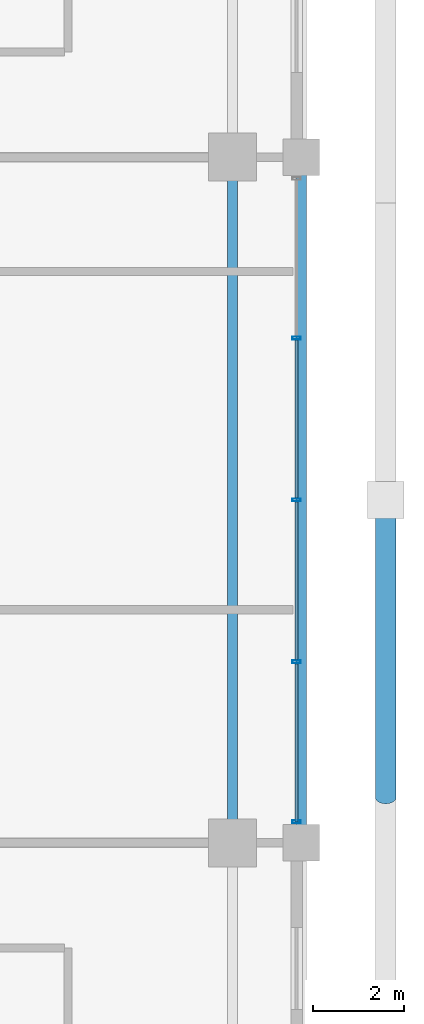
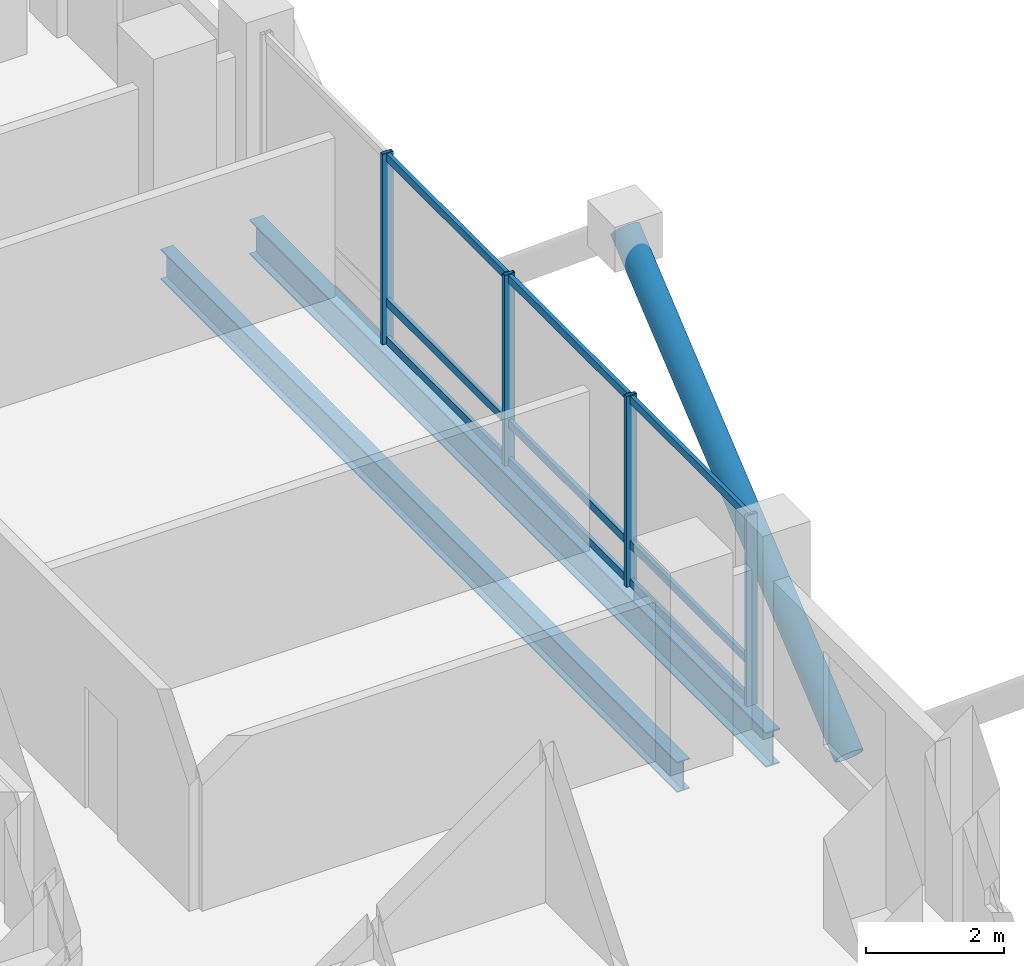
# One storey, part 10 of 24: 14 members, 2 beams, 1 element without a shape of its own.
"""IFC4 building model written with IfcOpenShell, lengths in metres."""

from ifc_helpers import new_model, si_unit, direction, frame, origin, origin_2d, place, context, subcontext, project, spatial, hollow_rectangle, hollow_circle, i_section, extrude, material, layer, layer_set, material_profile, profile_set, type_object, element, aggregate, save


model = new_model("IFC4")

# Units and contexts
model_context = context("Model", 3, precision=1e-05, world=origin(), true_north=direction((0.0, 1.0)))
body_context = subcontext(model_context, "Body", "Model", "MODEL_VIEW")
ifc_project = project(units=[si_unit("LENGTHUNIT", "METRE"), si_unit("AREAUNIT", "SQUARE_METRE"), si_unit("VOLUMEUNIT", "CUBIC_METRE"), si_unit("PLANEANGLEUNIT", "RADIAN"), si_unit("MASSUNIT", "GRAM", prefix="KILO")], contexts=[model_context])

# Site, building, storey
site_placement = place(None, origin())
site = spatial("IfcSite", under=ifc_project, at=site_placement, CompositionType="ELEMENT")
building_placement = place(site_placement, origin())
building = spatial("IfcBuilding", under=site, at=building_placement, Name="Barlavira Tower and Art Museum", CompositionType="ELEMENT")
storey_placement = place(building_placement, frame((0.0, 0.0, 183.60009765625)))
storey = spatial("IfcBuildingStorey", under=building, at=storey_placement, Name="L47", CompositionType="ELEMENT", Elevation=183.60009765625)

# Curtain wall, members
ifc_material_1 = material(Name="Low-iron coastal laminated glass", Category="glass")
ifc_layer = layer(ifc_material_1, 0.199951171875, Name="Low-iron coastal laminated glass")
ifc_layer_set = layer_set([ifc_layer], Name="Low-iron coastal laminated glass")
curtain_wall_type = type_object("IfcCurtainWallType", Name="Pale-Metal Unitised Curtain Wall Zone 3", PredefinedType="NOTDEFINED", material=ifc_layer_set)
curtain_wall_placement = place(storey_placement, origin())
curtain_wall = element("IfcCurtainWall", 1, at=curtain_wall_placement, inside=storey, type_object=curtain_wall_type, Name="L47 Curtain Wall CW3-L47-E-B3", PredefinedType="NOTDEFINED")
ifc_material_2 = material(Name="Pale anodised aluminium", Category="aluminium")
ifc_material_profile_1 = material_profile(ifc_material_2, hollow_rectangle(XDim=0.06494140625, YDim=0.179931640625, WallThickness=0.00390625, at=origin_2d()), Name="ALU-MULL 65x180x4")
ifc_profile_set_1 = profile_set([ifc_material_profile_1], Name="Pale anodised aluminium")
member_type_1 = type_object("IfcMemberType", Name="Curtain Wall Pale-Metal Mullion 65x180", PredefinedType="MULLION", material=ifc_profile_set_1)
member_1_placement = place(storey_placement, frame((18.39990234375, -7.034912109375, 0.0), z_axis=(0.0, 0.0, 1.0), x_axis=(0.0, 1.0, 0.0)))
member_1 = element("IfcMember", 2, at=member_1_placement, type_object=member_type_1, Name="CW3-L47-E-B3 Mullion 0", PredefinedType="MULLION", context=body_context, shape_type="SweptSolid", body=[
    extrude(hollow_rectangle(XDim=0.06494140625, YDim=0.179931640625, WallThickness=0.00390625, at=origin_2d()), origin(), (0.0, 0.0, 1.0), 3.3798828125),
])
member_2_placement = place(storey_placement, frame((18.39990234375, -3.5400390625, 0.0), z_axis=(0.0, 0.0, 1.0), x_axis=(0.0, 1.0, 0.0)))
member_2 = element("IfcMember", 3, at=member_2_placement, type_object=member_type_1, Name="CW3-L47-E-B3 Mullion 1", PredefinedType="MULLION", context=body_context, shape_type="SweptSolid", body=[
    extrude(hollow_rectangle(XDim=0.06494140625, YDim=0.179931640625, WallThickness=0.00390625, at=origin_2d()), origin(), (0.0, 0.0, 1.0), 3.3798828125),
])
member_3_placement = place(storey_placement, frame((18.39990234375, 0.0, 0.0), z_axis=(0.0, 0.0, 1.0), x_axis=(0.0, 1.0, 0.0)))
member_3 = element("IfcMember", 4, at=member_3_placement, type_object=member_type_1, Name="CW3-L47-E-B3 Mullion 2", PredefinedType="MULLION", context=body_context, shape_type="SweptSolid", body=[
    extrude(hollow_rectangle(XDim=0.06494140625, YDim=0.179931640625, WallThickness=0.00390625, at=origin_2d()), origin(), (0.0, 0.0, 1.0), 3.3798828125),
])
member_4_placement = place(storey_placement, frame((18.39990234375, 3.5400390625, 0.0), z_axis=(0.0, 0.0, 1.0), x_axis=(0.0, 1.0, 0.0)))
member_4 = element("IfcMember", 5, at=member_4_placement, type_object=member_type_1, Name="CW3-L47-E-B3 Mullion 3", PredefinedType="MULLION", context=body_context, shape_type="SweptSolid", body=[
    extrude(hollow_rectangle(XDim=0.06494140625, YDim=0.179931640625, WallThickness=0.00390625, at=origin_2d()), origin(), (0.0, 0.0, 1.0), 3.3798828125),
])
ifc_material_profile_2 = material_profile(ifc_material_2, hollow_rectangle(XDim=0.06494140625, YDim=0.139892578125, WallThickness=0.00390625, at=origin_2d()), Name="ALU-TRAN 65x140x4")
ifc_profile_set_2 = profile_set([ifc_material_profile_2], Name="Pale anodised aluminium")
member_type_2 = type_object("IfcMemberType", Name="Curtain Wall Pale-Metal Transom 65x140", PredefinedType="USERDEFINED", material=ifc_profile_set_2)
member_5_placement = place(storey_placement, frame((18.39990234375, -7.034912109375, 0.06982421875), z_axis=(0.0, 1.0, 0.0), x_axis=(-1.0, 0.0, 0.0)))
member_5 = element("IfcMember", 6, at=member_5_placement, type_object=member_type_2, Name="CW3-L47-E-B3 Transom 0.1", ObjectType="TRANSOM", PredefinedType="USERDEFINED", context=body_context, shape_type="SweptSolid", body=[
    extrude(hollow_rectangle(XDim=0.06494140625, YDim=0.139892578125, WallThickness=0.00390625, at=origin_2d()), origin(), (0.0, 0.0, 1.0), 3.449951171875),
])
member_6_placement = place(storey_placement, frame((18.39990234375, -7.034912109375, 0.743896484375), z_axis=(0.0, 1.0, 0.0), x_axis=(-1.0, 0.0, 0.0)))
member_6 = element("IfcMember", 7, at=member_6_placement, type_object=member_type_2, Name="CW3-L47-E-B3 Transom 0.2", ObjectType="TRANSOM", PredefinedType="USERDEFINED", context=body_context, shape_type="SweptSolid", body=[
    extrude(hollow_rectangle(XDim=0.06494140625, YDim=0.139892578125, WallThickness=0.00390625, at=origin_2d()), origin(), (0.0, 0.0, 1.0), 3.449951171875),
])
member_7_placement = place(storey_placement, frame((18.39990234375, -7.034912109375, 3.309814453125), z_axis=(0.0, 1.0, 0.0), x_axis=(-1.0, 0.0, 0.0)))
member_7 = element("IfcMember", 8, at=member_7_placement, type_object=member_type_2, Name="CW3-L47-E-B3 Transom 0.3", ObjectType="TRANSOM", PredefinedType="USERDEFINED", context=body_context, shape_type="SweptSolid", body=[
    extrude(hollow_rectangle(XDim=0.06494140625, YDim=0.139892578125, WallThickness=0.00390625, at=origin_2d()), origin(), (0.0, 0.0, 1.0), 3.449951171875),
])
member_8_placement = place(storey_placement, frame((18.39990234375, -3.4951171875, 0.06982421875), z_axis=(0.0, 1.0, 0.0), x_axis=(-1.0, 0.0, 0.0)))
member_8 = element("IfcMember", 9, at=member_8_placement, type_object=member_type_2, Name="CW3-L47-E-B3 Transom 1.1", ObjectType="TRANSOM", PredefinedType="USERDEFINED", context=body_context, shape_type="SweptSolid", body=[
    extrude(hollow_rectangle(XDim=0.06494140625, YDim=0.139892578125, WallThickness=0.00390625, at=origin_2d()), origin(), (0.0, 0.0, 1.0), 3.4501953125),
])
member_9_placement = place(storey_placement, frame((18.39990234375, -3.4951171875, 0.743896484375), z_axis=(0.0, 1.0, 0.0), x_axis=(-1.0, 0.0, 0.0)))
member_9 = element("IfcMember", 10, at=member_9_placement, type_object=member_type_2, Name="CW3-L47-E-B3 Transom 1.2", ObjectType="TRANSOM", PredefinedType="USERDEFINED", context=body_context, shape_type="SweptSolid", body=[
    extrude(hollow_rectangle(XDim=0.06494140625, YDim=0.139892578125, WallThickness=0.00390625, at=origin_2d()), origin(), (0.0, 0.0, 1.0), 3.4501953125),
])
member_10_placement = place(storey_placement, frame((18.39990234375, -3.4951171875, 3.309814453125), z_axis=(0.0, 1.0, 0.0), x_axis=(-1.0, 0.0, 0.0)))
member_10 = element("IfcMember", 11, at=member_10_placement, type_object=member_type_2, Name="CW3-L47-E-B3 Transom 1.3", ObjectType="TRANSOM", PredefinedType="USERDEFINED", context=body_context, shape_type="SweptSolid", body=[
    extrude(hollow_rectangle(XDim=0.06494140625, YDim=0.139892578125, WallThickness=0.00390625, at=origin_2d()), origin(), (0.0, 0.0, 1.0), 3.4501953125),
])
member_11_placement = place(storey_placement, frame((18.39990234375, 0.044921875, 0.06982421875), z_axis=(0.0, 1.0, 0.0), x_axis=(-1.0, 0.0, 0.0)))
member_11 = element("IfcMember", 12, at=member_11_placement, type_object=member_type_2, Name="CW3-L47-E-B3 Transom 2.1", ObjectType="TRANSOM", PredefinedType="USERDEFINED", context=body_context, shape_type="SweptSolid", body=[
    extrude(hollow_rectangle(XDim=0.06494140625, YDim=0.139892578125, WallThickness=0.00390625, at=origin_2d()), origin(), (0.0, 0.0, 1.0), 3.4501953125),
])
member_12_placement = place(storey_placement, frame((18.39990234375, 0.044921875, 0.743896484375), z_axis=(0.0, 1.0, 0.0), x_axis=(-1.0, 0.0, 0.0)))
member_12 = element("IfcMember", 13, at=member_12_placement, type_object=member_type_2, Name="CW3-L47-E-B3 Transom 2.2", ObjectType="TRANSOM", PredefinedType="USERDEFINED", context=body_context, shape_type="SweptSolid", body=[
    extrude(hollow_rectangle(XDim=0.06494140625, YDim=0.139892578125, WallThickness=0.00390625, at=origin_2d()), origin(), (0.0, 0.0, 1.0), 3.4501953125),
])
member_13_placement = place(storey_placement, frame((18.39990234375, 0.044921875, 3.309814453125), z_axis=(0.0, 1.0, 0.0), x_axis=(-1.0, 0.0, 0.0)))
member_13 = element("IfcMember", 14, at=member_13_placement, type_object=member_type_2, Name="CW3-L47-E-B3 Transom 2.3", ObjectType="TRANSOM", PredefinedType="USERDEFINED", context=body_context, shape_type="SweptSolid", body=[
    extrude(hollow_rectangle(XDim=0.06494140625, YDim=0.139892578125, WallThickness=0.00390625, at=origin_2d()), origin(), (0.0, 0.0, 1.0), 3.4501953125),
])
aggregate(curtain_wall, [member_1, member_2, member_3, member_4, member_5, member_6, member_7, member_8, member_9, member_10, member_11, member_12, member_13])

# Member
ifc_material_3 = material(Name="Steel S355", Category="steel")
ifc_material_profile_3 = material_profile(ifc_material_3, hollow_circle(Radius=0.228515625, WallThickness=0.02001953125, at=origin_2d()), Name="CHS 457.0x20.0")
ifc_profile_set_3 = profile_set([ifc_material_profile_3], Name="Steel S355")
member_type_3 = type_object("IfcMemberType", Name="Pale-Metal Exoskeleton Diagrid Tube CHS 457x20 Steel S355", PredefinedType="BRACE", material=ifc_profile_set_3)
member_14_placement = place(storey_placement, frame((20.35009765625, -6.5, -1.920166015625), z_axis=(0.0, 0.76918185268, 0.639029950399), x_axis=(-1.0, 0.0, 0.0)))
element("IfcMember", 15, at=member_14_placement, inside=storey, type_object=member_type_3, Name="L47 Exoskeleton Diagrid Tube E", PredefinedType="BRACE", context=body_context, shape_type="SweptSolid", body=[
    extrude(hollow_circle(Radius=0.228515625, WallThickness=0.02001953125, at=origin_2d()), origin(), (0.0, 0.0, 1.0), 8.450439453125),
])

# Beams
ifc_material_profile_4 = material_profile(ifc_material_3, i_section(OverallWidth=0.22998046875, OverallDepth=0.616943359375, WebThickness=0.01318359375, FlangeThickness=0.022216796875, at=origin_2d()), Name="W610x140.0")
ifc_profile_set_4 = profile_set([ifc_material_profile_4], Name="Steel S355")
beam_type_1 = type_object("IfcBeamType", Name="Upper Shaft Spandrel Edge Beam W610x140 Steel S355", PredefinedType="SPANDREL", material=ifc_profile_set_4)
beam_1_placement = place(storey_placement, frame((18.5, -7.5, -0.528564453125), z_axis=(0.0, 1.0, 0.0), x_axis=(-1.0, 0.0, 0.0)))
element("IfcBeam", 16, at=beam_1_placement, inside=storey, type_object=beam_type_1, Name="L47 Spandrel 6", PredefinedType="SPANDREL", context=body_context, shape_type="SweptSolid", body=[
    extrude(i_section(OverallWidth=0.22998046875, OverallDepth=0.616943359375, WebThickness=0.01318359375, FlangeThickness=0.022216796875, at=origin_2d()), origin(), (0.0, 0.0, 1.0), 15.0),
])
ifc_material_profile_5 = material_profile(ifc_material_3, i_section(OverallWidth=0.2109375, OverallDepth=0.5390625, WebThickness=0.01171875, FlangeThickness=0.018798828125, at=origin_2d()), Name="W530x109.0")
ifc_profile_set_5 = profile_set([ifc_material_profile_5], Name="Steel S355")
beam_type_2 = type_object("IfcBeamType", Name="Zone 3-4 Primary Floor Girder W530x109 Steel S355", PredefinedType="BEAM", material=ifc_profile_set_5)
beam_2_placement = place(storey_placement, frame((17.0, -7.5, -0.489501953125), z_axis=(0.0, 1.0, 0.0), x_axis=(-1.0, 0.0, 0.0)))
element("IfcBeam", 17, at=beam_2_placement, inside=storey, type_object=beam_type_2, Name="L47 Girder M-E2", PredefinedType="BEAM", context=body_context, shape_type="SweptSolid", body=[
    extrude(i_section(OverallWidth=0.2109375, OverallDepth=0.5390625, WebThickness=0.01171875, FlangeThickness=0.018798828125, at=origin_2d()), origin(), (0.0, 0.0, 1.0), 15.0),
])

save(model, "model.ifc")
